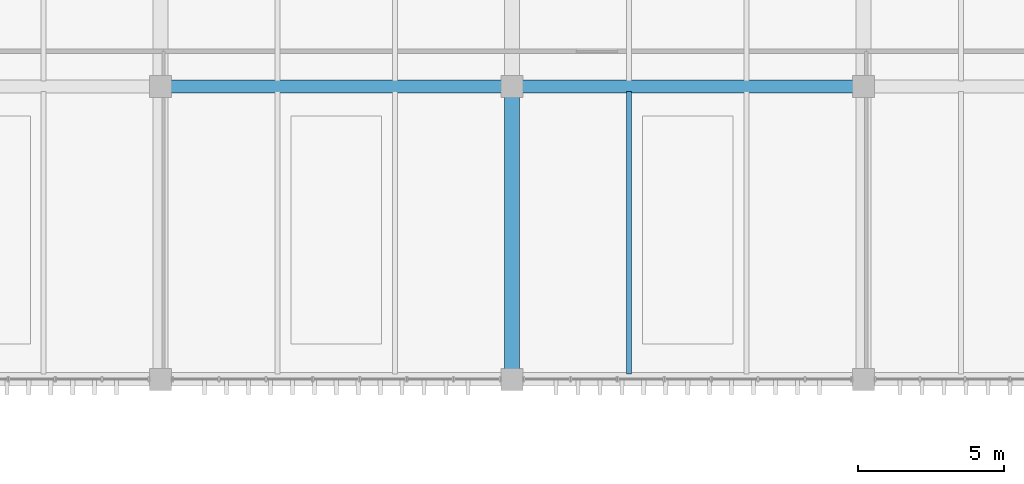
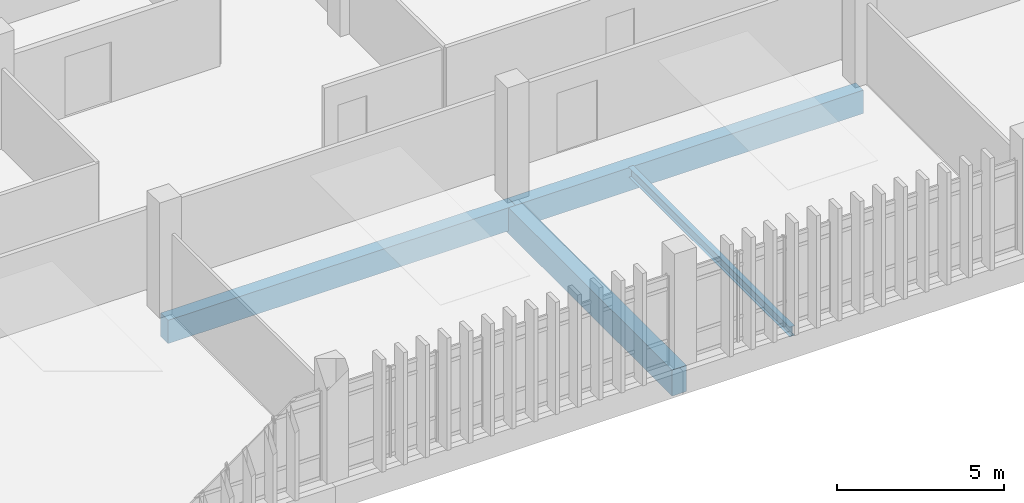
# One storey, part 78 of 161: 4 beams.
"""IFC4 building model written with IfcOpenShell, lengths in metres."""

from ifc_helpers import new_model, si_unit, direction, frame, origin, origin_2d, place, context, subcontext, project, spatial, rectangle, i_section, extrude, material, material_profile, profile_set, type_object, element, save


model = new_model("IFC4")

# Units and contexts
model_context = context("Model", 3, precision=1e-05, world=origin(), true_north=direction((0.0, 1.0)))
body_context = subcontext(model_context, "Body", "Model", "MODEL_VIEW")
ifc_project = project(units=[si_unit("LENGTHUNIT", "METRE"), si_unit("AREAUNIT", "SQUARE_METRE"), si_unit("VOLUMEUNIT", "CUBIC_METRE"), si_unit("PLANEANGLEUNIT", "RADIAN"), si_unit("MASSUNIT", "GRAM", prefix="KILO")], contexts=[model_context])

# Site, building, storey
site_placement = place(None, origin())
site = spatial("IfcSite", under=ifc_project, at=site_placement, CompositionType="ELEMENT")
building_placement = place(site_placement, origin())
building = spatial("IfcBuilding", under=site, at=building_placement, Name="Mersad Railyard Sports Hall", CompositionType="ELEMENT")
storey_placement = place(building_placement, frame((0.0, 0.0, 4.800048828125)))
storey = spatial("IfcBuildingStorey", under=building, at=storey_placement, Name="L01", CompositionType="ELEMENT", Elevation=4.800048828125)

# Beams
ifc_material_1 = material(Name="Concrete C40/50", Category="concrete")
ifc_material_profile_1 = material_profile(ifc_material_1, rectangle(XDim=0.449951171875, YDim=0.85009765625, at=origin_2d()), Name="RC 450x850")
ifc_profile_set_1 = profile_set([ifc_material_profile_1], Name="Concrete C40/50")
beam_type_1 = type_object("IfcBeamType", Name="STR-BM-B02", PredefinedType="BEAM", material=ifc_profile_set_1)
for number, where, z_axis, x_axis, name in (
    (1, (67.0, 95.0, -0.72509765625), (1.0, 0.0, 0.0), (0.0, 1.0, 0.0), "Beam B02-0934"),
    (2, (79.0, 95.0, -0.72509765625), (1.0, 0.0, 0.0), (0.0, 1.0, 0.0), "Beam B02-0935"),
):
    element("IfcBeam", number, at=place(storey_placement, frame(where, z_axis=z_axis, x_axis=x_axis)), inside=storey, type_object=beam_type_1, Name=name, PredefinedType="BEAM", context=body_context, shape_type="SweptSolid", body=[
        extrude(rectangle(XDim=0.449951171875, YDim=0.85009765625, at=origin_2d()), origin(), (0.0, 0.0, 1.0), 12.0),
    ])
ifc_material_2 = material(Name="Concrete C50/60", Category="concrete")
ifc_material_profile_2 = material_profile(ifc_material_2, rectangle(XDim=0.5, YDim=0.949951171875, at=origin_2d()), Name="RC 500x950")
ifc_profile_set_2 = profile_set([ifc_material_profile_2], Name="Concrete C50/60")
beam_type_2 = type_object("IfcBeamType", Name="STR-BM-B03", PredefinedType="BEAM", material=ifc_profile_set_2)
beam_1_placement = place(storey_placement, frame((79.0, 85.0, -0.775146484375), z_axis=(0.0, 1.0, 0.0), x_axis=(-1.0, 0.0, 0.0)))
element("IfcBeam", 3, at=beam_1_placement, inside=storey, type_object=beam_type_2, Name="Beam B03-0965", PredefinedType="BEAM", context=body_context, shape_type="SweptSolid", body=[
    extrude(rectangle(XDim=0.5, YDim=0.949951171875, at=origin_2d()), origin(), (0.0, 0.0, 1.0), 10.0),
])
ifc_material_3 = material(Name="Steel S355", Category="steel")
ifc_material_profile_3 = material_profile(ifc_material_3, i_section(OverallWidth=0.169921875, OverallDepth=0.360107421875, WebThickness=0.008056640625, FlangeThickness=0.0126953125, at=origin_2d()), Name="IPE 360")
ifc_profile_set_3 = profile_set([ifc_material_profile_3], Name="Steel S355")
beam_type_3 = type_object("IfcBeamType", Name="STR-BM-J03", PredefinedType="JOIST", material=ifc_profile_set_3)
beam_2_placement = place(storey_placement, frame((83.0, 85.179931640625, -0.47998046875), z_axis=(0.0, 1.0, 0.0), x_axis=(-1.0, 0.0, 0.0)))
element("IfcBeam", 4, at=beam_2_placement, inside=storey, type_object=beam_type_3, Name="Beam J03-1023", PredefinedType="JOIST", context=body_context, shape_type="SweptSolid", body=[
    extrude(i_section(OverallWidth=0.169921875, OverallDepth=0.360107421875, WebThickness=0.008056640625, FlangeThickness=0.0126953125, at=origin_2d()), origin(), (0.0, 0.0, 1.0), 9.64013671875),
])

save(model, "model.ifc")
